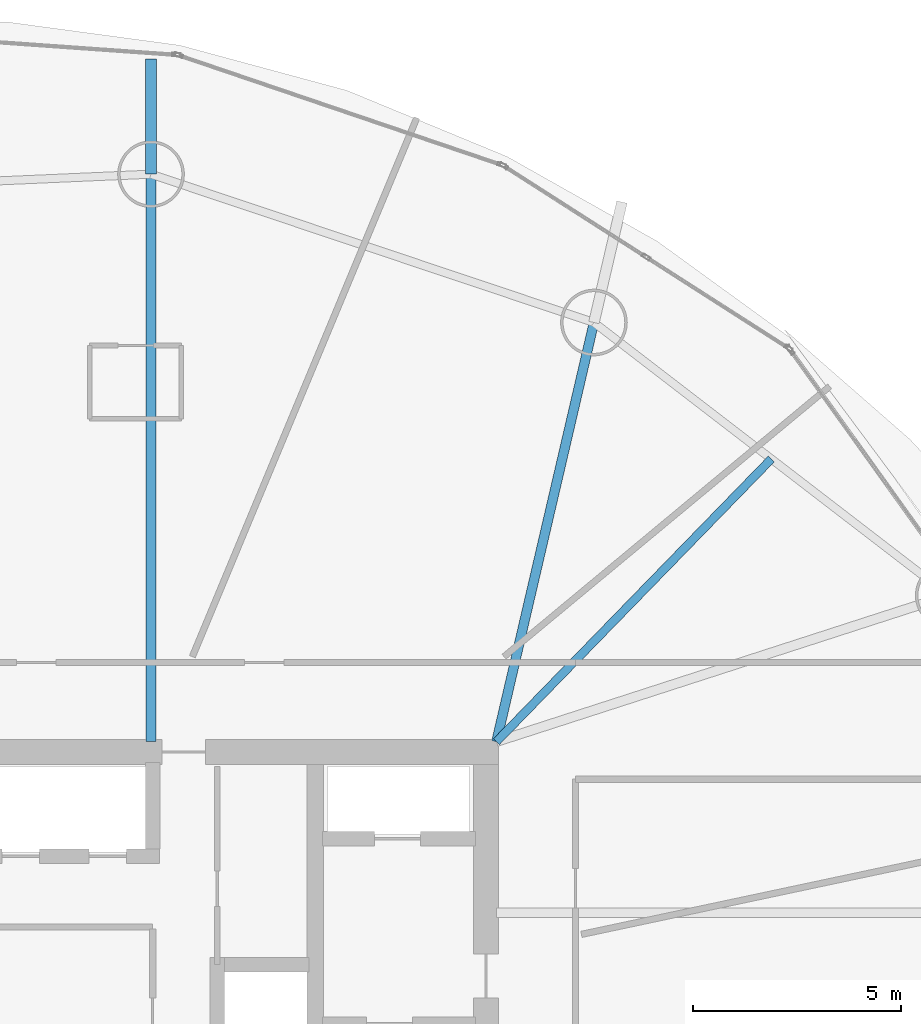
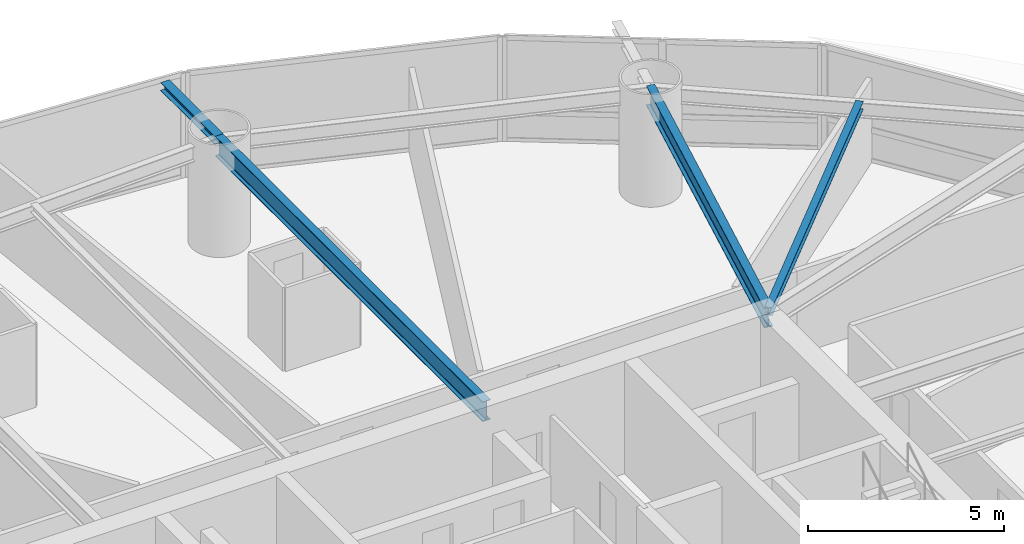
# One storey, part 15 of 27: 4 beams.
"""IFC4 building model written with IfcOpenShell, lengths in metres."""

import ifcopenshell
import ifcopenshell.guid

model = None  # the IFC model being written
_history = None  # IfcOwnerHistory: only IFC2X3 demands one
_inside = {}  # id of a spatial element -> (the spatial element, [elements in it])
_under = {}  # id of a project, library or spatial element -> (it, [spatial elements below it])
_declared = {}  # id of a project -> (the project, [libraries it declares])
_typed = {}  # id of a type object -> (the type object, [elements of that type])
_made_of = {}  # id of a material, layer set ... -> (it, [elements and type objects made of it])


def new_model(schema):
    """Start an empty IFC model of exactly this schema.

    Asked for "IFC4X3", IfcOpenShell would pick the latest addendum, in which some entities
    have other attributes; the version numbers below select the first issue.
    IFC2X3 requires an IfcOwnerHistory on every rooted entity: one is made here for all.
    """
    global model, _history
    if schema == "IFC4X3":
        model = ifcopenshell.file(schema_version=(4, 3, 0, 0))
    else:
        model = ifcopenshell.file(schema=schema)
    _inside.clear()
    _under.clear()
    _declared.clear()
    _typed.clear()
    _made_of.clear()
    _history = None
    if model.schema == "IFC2X3":
        org = make("IfcOrganization", Name="unknown")
        user = make(
            "IfcPersonAndOrganization",
            ThePerson=make("IfcPerson", FamilyName="unknown"),
            TheOrganization=org,
        )
        app = make(
            "IfcApplication",
            ApplicationDeveloper=org,
            Version="unknown",
            ApplicationFullName="unknown",
            ApplicationIdentifier="unknown",
        )
        _history = make(
            "IfcOwnerHistory",
            OwningUser=user,
            OwningApplication=app,
            ChangeAction="ADDED",
            CreationDate=0,
        )
    return model


def make(cls, **values):
    """One entity of the class cls with the attributes given. An attribute that is None is left unset."""
    return model.create_entity(
        cls, **{name: value for name, value in values.items() if value is not None}
    )


def rooted(cls, **values):
    """An entity with a GlobalId (a new one), such as an element, a storey or a relation."""
    return make(cls, GlobalId=ifcopenshell.guid.new(), OwnerHistory=_history, **values)


def si_unit(unit_type, name, prefix=None):
    """IfcSIUnit, for example si_unit("LENGTHUNIT", "METRE", prefix="MILLI")."""
    return make("IfcSIUnit", UnitType=unit_type, Prefix=prefix, Name=name)


def assignment(units):
    """IfcUnitAssignment: the units of a project."""
    return None if units is None else make("IfcUnitAssignment", Units=units)


def point(xyz):
    """IfcCartesianPoint."""
    return None if xyz is None else make("IfcCartesianPoint", Coordinates=xyz)


def direction(xyz):
    """IfcDirection."""
    return None if xyz is None else make("IfcDirection", DirectionRatios=xyz)


def frame(location, z_axis=None, x_axis=None):
    """IfcAxis2Placement3D, a coordinate frame: its origin and axes. An axis left out is left unset."""
    return make(
        "IfcAxis2Placement3D",
        Location=point(location),
        Axis=direction(z_axis),
        RefDirection=direction(x_axis),
    )


def frame_2d(location, x_axis=None):
    """IfcAxis2Placement2D, a coordinate frame in the plane: its origin and x axis."""
    return make(
        "IfcAxis2Placement2D", Location=point(location), RefDirection=direction(x_axis)
    )


def origin():
    """The frame at (0, 0, 0) with its axes left unset."""
    return frame((0.0, 0.0, 0.0))


def origin_2d():
    """The frame at (0, 0) in the plane with its x axis left unset."""
    return frame_2d((0.0, 0.0))


def place(relative_to, where):
    """IfcLocalPlacement: puts the frame where relative to a parent placement (None: the world)."""
    return make(
        "IfcLocalPlacement", PlacementRelTo=relative_to, RelativePlacement=where
    )


def context(
    kind, dimensions, precision=None, world=None, true_north=None, identifier=None
):
    """IfcGeometricRepresentationContext, for example the 3D "Model" context."""
    return make(
        "IfcGeometricRepresentationContext",
        ContextIdentifier=identifier,
        ContextType=kind,
        CoordinateSpaceDimension=dimensions,
        Precision=precision,
        WorldCoordinateSystem=world,
        TrueNorth=true_north,
    )


def subcontext(parent, identifier, kind, view, scale=None):
    """IfcGeometricRepresentationSubContext, for example "Body" below "Model"."""
    return make(
        "IfcGeometricRepresentationSubContext",
        ContextIdentifier=identifier,
        ContextType=kind,
        ParentContext=parent,
        TargetScale=scale,
        TargetView=view,
    )


def project(units=None, contexts=None):
    """IfcProject with its units and contexts."""
    return rooted(
        "IfcProject",
        Name="project",
        RepresentationContexts=contexts,
        UnitsInContext=assignment(units),
    )


def spatial(cls, under=None, at=None, **own):
    """A site, building, storey or space (cls), placed at a placement, below another one or the project."""
    s = rooted(cls, ObjectPlacement=at, **own)
    if under is not None:
        _under.setdefault(under.id(), (under, []))[1].append(s)
    return s


def profile(cls, at=None, kind="AREA", **sizes):
    """A parametric profile (cls). Its sizes go by their IFC names, for example OverallWidth=200.0."""
    return make(cls, ProfileType=kind, Position=at, **sizes)


def i_section(**sizes):
    """IfcIShapeProfileDef."""
    return profile("IfcIShapeProfileDef", **sizes)


def extrude(swept, where, along, depth):
    """IfcExtrudedAreaSolid: the profile swept, set in the frame where, extruded along a direction by depth."""
    return make(
        "IfcExtrudedAreaSolid",
        SweptArea=swept,
        Position=where,
        ExtrudedDirection=direction(along),
        Depth=depth,
    )


def shape(context_of_items, identifier, shape_type, items):
    """IfcShapeRepresentation: the items that make up one representation, for example the "Body"."""
    return make(
        "IfcShapeRepresentation",
        ContextOfItems=context_of_items,
        RepresentationIdentifier=identifier,
        RepresentationType=shape_type,
        Items=items,
    )


def material(Name=None, Category=None):
    """IfcMaterial."""
    return make("IfcMaterial", Name=Name, Category=Category)


def material_profile(
    of_material, cross_section, Name=None, Category=None, Priority=None
):
    """IfcMaterialProfile: a cross section and its material."""
    return make(
        "IfcMaterialProfile",
        Name=Name,
        Material=of_material,
        Profile=cross_section,
        Priority=Priority,
        Category=Category,
    )


def profile_set(profiles, Name=None, composite=None):
    """IfcMaterialProfileSet."""
    return make(
        "IfcMaterialProfileSet",
        Name=Name,
        MaterialProfiles=profiles,
        CompositeProfile=composite,
    )


def made_of(thing, what):
    """Note that an element or type object is made of a material, layer set ...; save() writes the relation."""
    if what is not None:
        _made_of.setdefault(what.id(), (what, []))[1].append(thing)
    return thing


def type_object(cls, material=None, **own):
    """A type object (cls), such as IfcWallType, which elements share."""
    return made_of(rooted(cls, **own), material)


def element(
    cls,
    number,
    at=None,
    inside=None,
    cuts=None,
    type_object=None,
    material=None,
    context=None,
    identifier="Body",
    shape_type=None,
    held_by="IfcProductDefinitionShape",
    body=None,
    shapes=None,
    **own,
):
    """One element of the class cls, such as IfcWall. Its Tag is "e" and its number.

    at: its placement. inside: the storey or other place that contains it. cuts: it is an
    opening in that element (IfcRelVoidsElement). A single representation is given by context,
    identifier, shape_type and body (its items); several are given by shapes. held_by: the class
    of the entity that holds the representations. save() writes the other relations.
    """
    e = rooted(cls, Tag="e%d" % number, ObjectPlacement=at, **own)
    if body is not None:
        shapes = [shape(context, identifier, shape_type, body)]
    if shapes is not None:
        e.Representation = make(held_by, Representations=shapes)
    if inside is not None:
        _inside.setdefault(inside.id(), (inside, []))[1].append(e)
    if cuts is not None:
        rooted(
            "IfcRelVoidsElement", RelatingBuildingElement=cuts, RelatedOpeningElement=e
        )
    if type_object is not None:
        _typed.setdefault(type_object.id(), (type_object, []))[1].append(e)
    return made_of(e, material)


def aggregate(whole, parts):
    """IfcRelAggregates: a whole, such as a stair, and the parts it consists of."""
    return rooted("IfcRelAggregates", RelatingObject=whole, RelatedObjects=parts)


def save(model, path):
    """Write the relations noted so far, then the file.

    IfcRelAggregates (storeys below a building ...), IfcRelContainedInSpatialStructure (elements
    in a storey), IfcRelDefinesByType, IfcRelAssociatesMaterial and IfcRelDeclares: one each for
    every whole, place, type object, material and project.
    """
    for whole, parts in _under.values():
        aggregate(whole, parts)
    for where, things in _inside.values():
        rooted(
            "IfcRelContainedInSpatialStructure",
            RelatedElements=things,
            RelatingStructure=where,
        )
    for kind, things in _typed.values():
        rooted("IfcRelDefinesByType", RelatedObjects=things, RelatingType=kind)
    for what, things in _made_of.values():
        rooted("IfcRelAssociatesMaterial", RelatedObjects=things, RelatingMaterial=what)
    for by, libraries in _declared.values():
        rooted("IfcRelDeclares", RelatingContext=by, RelatedDefinitions=libraries)
    model.write(path)


model = new_model("IFC4")

# Units and contexts
model_context = context("Model", 3, precision=1e-05, world=origin(), true_north=direction((0.0, 1.0)))
body_context = subcontext(model_context, "Body", "Model", "MODEL_VIEW")
ifc_project = project(units=[si_unit("LENGTHUNIT", "METRE"), si_unit("AREAUNIT", "SQUARE_METRE"), si_unit("VOLUMEUNIT", "CUBIC_METRE"), si_unit("PLANEANGLEUNIT", "RADIAN"), si_unit("MASSUNIT", "GRAM", prefix="KILO")], contexts=[model_context])

# Site, building, storey
site_placement = place(None, origin())
site = spatial("IfcSite", under=ifc_project, at=site_placement, CompositionType="ELEMENT")
building_placement = place(site_placement, origin())
building = spatial("IfcBuilding", under=site, at=building_placement, Name="Bramvorn Convention Spire", CompositionType="ELEMENT")
storey_placement = place(building_placement, frame((0.0, 0.0, 79.89990234375)))
storey = spatial("IfcBuildingStorey", under=building, at=storey_placement, Name="L18", CompositionType="ELEMENT", Elevation=79.89990234375)

# Beams
ifc_material = material(Name="Steel CSA G40.21 Grade 350 (350W)", Category="steel")
ifc_material_profile_1 = material_profile(ifc_material, i_section(OverallWidth=0.201904296875, OverallDepth=0.2470703125, WebThickness=0.00732421875, FlangeThickness=0.010986328125, FilletRadius=0.011962890625, at=origin_2d()))
ifc_profile_set_1 = profile_set([ifc_material_profile_1], Name="Steel CSA G40.21 Grade 350 (350W) - W250X49")
beam_type_1 = type_object("IfcBeamType", Name="BM-W250X49", PredefinedType="JOIST", material=ifc_profile_set_1)
beam_1_placement = place(storey_placement, frame((49.25, 33.449951171875, 3.126708984375), z_axis=(0.697170484005, 0.716905374671, 0.0), x_axis=(-0.716905374671, 0.697170484005, 0.0)))
element("IfcBeam", 1, at=beam_1_placement, inside=storey, type_object=beam_type_1, Name="L18 composite floor joist 03", PredefinedType="JOIST", context=body_context, shape_type="SweptSolid", body=[
    extrude(i_section(OverallWidth=0.201904296875, OverallDepth=0.2470703125, WebThickness=0.00732421875, FlangeThickness=0.010986328125, FilletRadius=0.011962890625, at=origin_2d()), origin(), (0.0, 0.0, 1.0), 9.4638671875),
])
ifc_material_profile_2 = material_profile(ifc_material, i_section(OverallWidth=0.25390625, OverallDepth=0.2529296875, WebThickness=0.008544921875, FlangeThickness=0.01416015625, FilletRadius=0.011962890625, at=origin_2d()))
ifc_profile_set_2 = profile_set([ifc_material_profile_2], Name="Steel CSA G40.21 Grade 350 (350W) - W250X73")
beam_type_2 = type_object("IfcBeamType", Name="BM-W250X73", PredefinedType="BEAM", material=ifc_profile_set_2)
beam_2_placement = place(storey_placement, frame((40.9609375, 47.06884765625, 3.12353515625), z_axis=(0.0, 1.0, 0.0), x_axis=(-1.0, 0.0, 0.0)))
element("IfcBeam", 2, at=beam_2_placement, inside=storey, type_object=beam_type_2, Name="L18 slab-edge cantilever tip beam MC05", PredefinedType="BEAM", context=body_context, shape_type="SweptSolid", body=[
    extrude(i_section(OverallWidth=0.25390625, OverallDepth=0.2529296875, WebThickness=0.008544921875, FlangeThickness=0.01416015625, FilletRadius=0.011962890625, at=origin_2d()), origin(), (0.0, 0.0, 1.0), 2.766845703125),
])
ifc_material_profile_3 = material_profile(ifc_material, i_section(OverallWidth=0.22998046875, OverallDepth=0.616943359375, WebThickness=0.01318359375, FlangeThickness=0.022216796875, FilletRadius=0.02001953125, at=origin_2d()))
ifc_profile_set_3 = profile_set([ifc_material_profile_3], Name="Steel CSA G40.21 Grade 350 (350W) - W610X140")
beam_type_3 = type_object("IfcBeamType", Name="BM-W610X140", PredefinedType="BEAM", material=ifc_profile_set_3)
beam_3_placement = place(storey_placement, frame((49.25, 33.449951171875, 2.941650390625), z_axis=(0.226606328522, 0.973986433106, 0.0), x_axis=(-0.973986433106, 0.226606328522, 0.0)))
element("IfcBeam", 3, at=beam_3_placement, inside=storey, type_object=beam_type_3, Name="L18 radial floor girder MC04", PredefinedType="BEAM", context=body_context, shape_type="SweptSolid", body=[
    extrude(i_section(OverallWidth=0.22998046875, OverallDepth=0.616943359375, WebThickness=0.01318359375, FlangeThickness=0.022216796875, FilletRadius=0.02001953125, at=origin_2d()), origin(), (0.0, 0.0, 1.0), 10.32763671875),
])
beam_4_placement = place(storey_placement, frame((40.9609375, 33.449951171875, 2.941650390625), z_axis=(0.0, 1.0, 0.0), x_axis=(-1.0, 0.0, 0.0)))
element("IfcBeam", 4, at=beam_4_placement, inside=storey, type_object=beam_type_3, Name="L18 radial floor girder MC05", PredefinedType="BEAM", context=body_context, shape_type="SweptSolid", body=[
    extrude(i_section(OverallWidth=0.22998046875, OverallDepth=0.616943359375, WebThickness=0.01318359375, FlangeThickness=0.022216796875, FilletRadius=0.02001953125, at=origin_2d()), origin(), (0.0, 0.0, 1.0), 13.618896484375),
])

save(model, "model.ifc")
